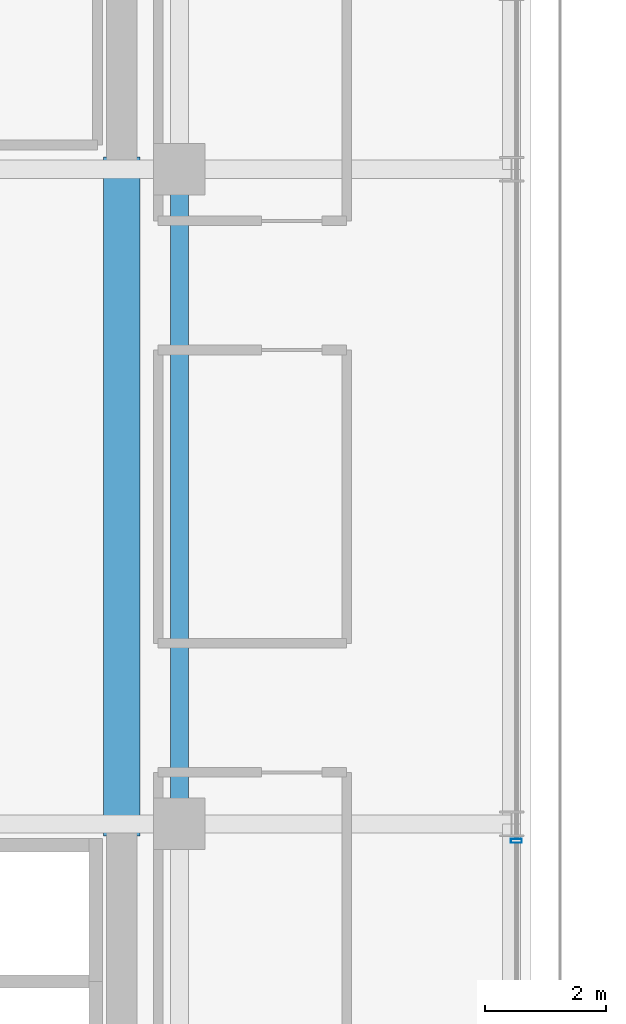
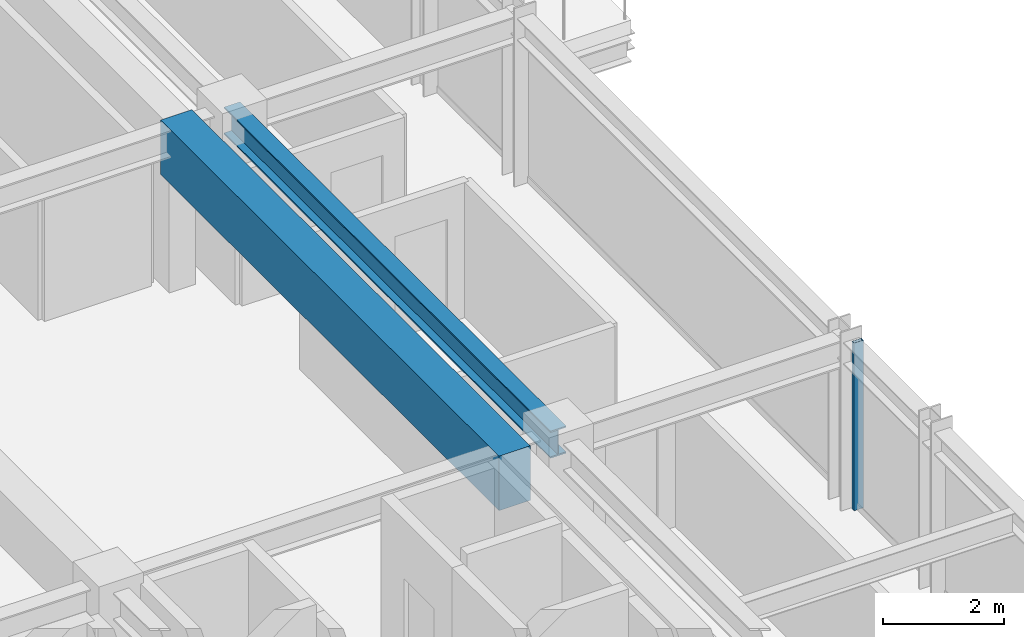
# One storey, part 11 of 33: 2 beams, 1 member, 1 element without a shape of its own.
"""IFC4 building model written with IfcOpenShell, lengths in metres."""

from ifc_helpers import new_model, si_unit, direction, frame, origin, origin_2d, place, context, subcontext, project, spatial, rectangle, hollow_rectangle, i_section, extrude, source, transform, mapped, material, material_profile, profile_set, type_object, element, aggregate, save


model = new_model("IFC4")

# Units and contexts
model_context = context("Model", 3, precision=1e-05, world=origin(), true_north=direction((0.0, 1.0)))
body_context = subcontext(model_context, "Body", "Model", "MODEL_VIEW")
ifc_project = project(units=[si_unit("LENGTHUNIT", "METRE"), si_unit("AREAUNIT", "SQUARE_METRE"), si_unit("VOLUMEUNIT", "CUBIC_METRE"), si_unit("PLANEANGLEUNIT", "RADIAN"), si_unit("MASSUNIT", "GRAM", prefix="KILO")], contexts=[model_context])

# Site, building, storey
site_placement = place(None, origin())
site = spatial("IfcSite", under=ifc_project, at=site_placement, CompositionType="ELEMENT")
building_placement = place(site_placement, origin())
building = spatial("IfcBuilding", under=site, at=building_placement, Name="Nahalor Promenade Grand Hotel", CompositionType="ELEMENT")
storey_placement = place(building_placement, frame((0.0, 0.0, 149.0)))
storey = spatial("IfcBuildingStorey", under=building, at=storey_placement, Name="L37", CompositionType="ELEMENT", Elevation=149.0)

# Beams
ifc_material_1 = material(Name="Concrete B-60 (C50/60)", Category="concrete")
ifc_material_profile_1 = material_profile(ifc_material_1, rectangle(XDim=0.6, YDim=1.1, at=origin_2d()), Name="RC 600x1100")
ifc_profile_set_1 = profile_set([ifc_material_profile_1], Name="Concrete B-60 (C50/60)")
beam_type_1 = type_object("IfcBeamType", Name="Beam-Lintel-RC1100", PredefinedType="LINTEL", material=ifc_profile_set_1)
shared_shape_1 = source(origin(), body_context, "Body", "SweptSolid", [
    extrude(rectangle(XDim=0.6, YDim=1.1, at=origin_2d()), origin(), (0.0, 0.0, 1.0), 11.2001953125),
])
beam_1_placement = place(storey_placement, frame((16.050048828125, -5.60009765625, 2.840087890625), z_axis=(0.0, 1.0, 0.0), x_axis=(-1.0, 0.0, 0.0)))
element("IfcBeam", 1, at=beam_1_placement, inside=storey, type_object=beam_type_1, Name="BM-L37-LINT-E", PredefinedType="LINTEL", context=body_context, shape_type="MappedRepresentation", body=[
    mapped(shared_shape_1, transform((0.0, 0.0, 0.0), scale=1.0)),
])
ifc_material_2 = material(Name="Steel S355JR", Category="steel")
ifc_material_profile_2 = material_profile(ifc_material_2, i_section(OverallWidth=0.3, OverallDepth=0.55, WebThickness=0.015, FlangeThickness=0.029, at=origin_2d()), Name="HEB 550")
ifc_profile_set_2 = profile_set([ifc_material_profile_2], Name="Steel S355JR")
beam_type_2 = type_object("IfcBeamType", Name="Beam-Girder-HEB550", PredefinedType="BEAM", material=ifc_profile_set_2)
shared_shape_2 = source(origin(), body_context, "Body", "SweptSolid", [
    extrude(i_section(OverallWidth=0.3, OverallDepth=0.55, WebThickness=0.015, FlangeThickness=0.029, at=origin_2d()), origin(), (0.0, 0.0, 1.0), 10.7998046875),
])
beam_2_placement = place(storey_placement, frame((17.0, -5.39990234375, 3.114990234375), z_axis=(0.0, 1.0, 0.0), x_axis=(-1.0, 0.0, 0.0)))
element("IfcBeam", 2, at=beam_2_placement, inside=storey, type_object=beam_type_2, Name="BM-L37-GY-5-2", PredefinedType="BEAM", context=body_context, shape_type="MappedRepresentation", body=[
    mapped(shared_shape_2, transform((0.0, 0.0, 0.0), scale=1.0)),
])

# Curtain wall, member
ifc_material_3 = material(Name="Anodised Bronze Aluminium EN AW-6063 T6", Category="aluminium")
curtain_wall_type = type_object("IfcCurtainWallType", Name="CW2 Typical Hotel Flush Bronze Unitised Curtain Wall", PredefinedType="USERDEFINED", material=ifc_material_3)
curtain_wall_placement = place(storey_placement, origin())
curtain_wall = element("IfcCurtainWall", 3, at=curtain_wall_placement, inside=storey, type_object=curtain_wall_type, Name="L37 Curtain Wall CW-L37-E-1", ObjectType="UNITISED_CURTAIN_WALL", PredefinedType="USERDEFINED")
ifc_material_profile_3 = material_profile(ifc_material_3, hollow_rectangle(XDim=0.065, YDim=0.18, WallThickness=0.004, at=origin_2d()), Name="CWM 65x180x4")
ifc_profile_set_3 = profile_set([ifc_material_profile_3], Name="Anodised Bronze Aluminium EN AW-6063 T6")
member_type = type_object("IfcMemberType", Name="CWM2 Typical Bronze Mullion 65x180", PredefinedType="MULLION", material=ifc_profile_set_3)
shared_shape_3 = source(origin(), body_context, "Body", "SweptSolid", [
    extrude(hollow_rectangle(XDim=0.065, YDim=0.18, WallThickness=0.004, at=origin_2d()), origin(), (0.0, 0.0, 1.0), 3.389892578125),
])
member_placement = place(storey_placement, frame((22.56005859375, -5.679931640625, 0.0), z_axis=(0.0, 0.0, 1.0), x_axis=(0.0, 1.0, 0.0)))
member = element("IfcMember", 4, at=member_placement, type_object=member_type, Name="CW-L37-E-1 Mullion 1", PredefinedType="MULLION", context=body_context, shape_type="MappedRepresentation", body=[
    mapped(shared_shape_3, transform((0.0, 0.0, 0.0), scale=1.0)),
])
aggregate(curtain_wall, [member])

save(model, "model.ifc")
